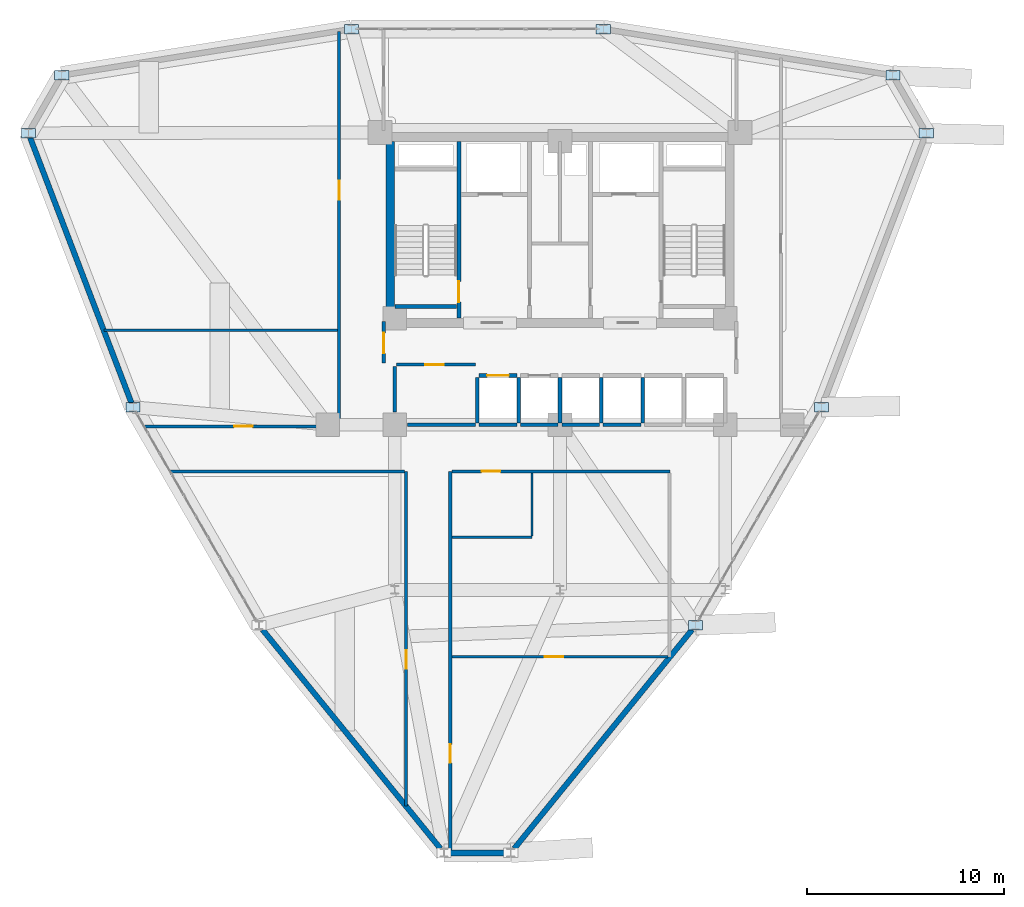
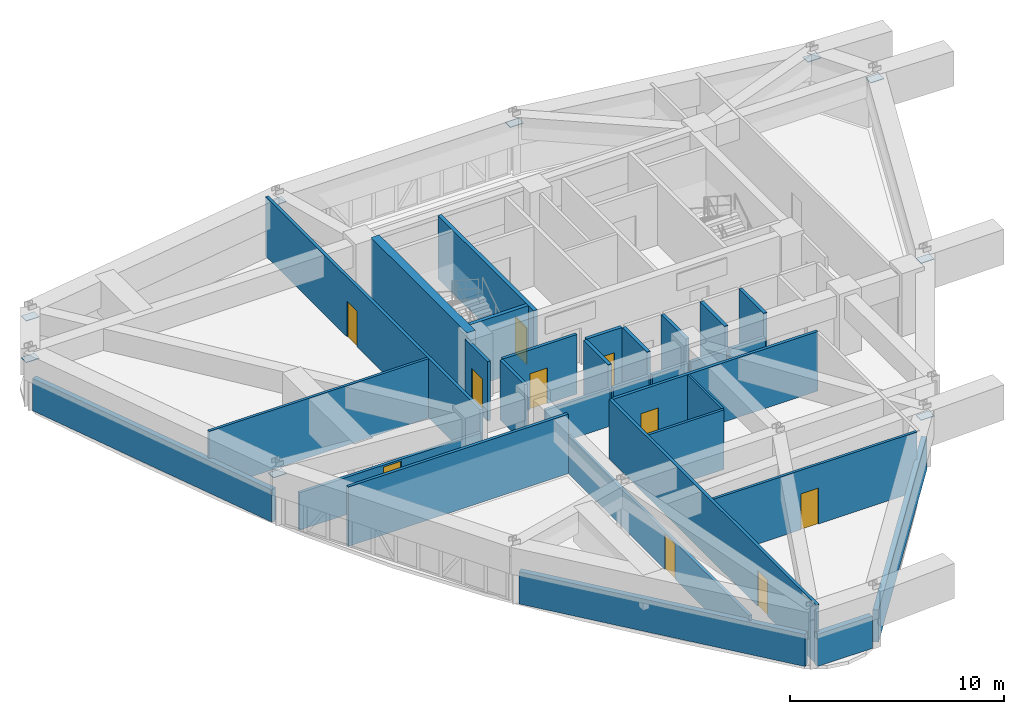
# One storey, part 11 of 15: 31 walls, 10 doors, 9 plates, 10 openings.
"""IFC4 building model written with IfcOpenShell, lengths in metres."""

from ifc_helpers import new_model, si_unit, derived_unit, direction, frame, frame_2d, origin, origin_2d, place, context, subcontext, project, spatial, rectangle, extrude, source, transform, mapped, material, layer, layer_set, type_object, element, fill, save


model = new_model("IFC4")

# Units and contexts
model_context = context("Model", 3, precision=1e-05, world=origin(), true_north=direction((0.0, 1.0)))
body_context = subcontext(model_context, "Body", "Model", "MODEL_VIEW")
ifc_project = project(units=[si_unit("LENGTHUNIT", "METRE"), si_unit("AREAUNIT", "SQUARE_METRE"), si_unit("VOLUMEUNIT", "CUBIC_METRE"), si_unit("PLANEANGLEUNIT", "RADIAN"), si_unit("MASSUNIT", "GRAM", prefix="KILO"), derived_unit("THERMALTRANSMITTANCEUNIT", [(si_unit("POWERUNIT", "WATT"), 1), (si_unit("LENGTHUNIT", "METRE"), -2), (si_unit("THERMODYNAMICTEMPERATUREUNIT", "KELVIN"), -1)])], contexts=[model_context])

# Site, building, storey
site_placement = place(None, origin())
site = spatial("IfcSite", under=ifc_project, at=site_placement, CompositionType="ELEMENT")
building_placement = place(site_placement, origin())
building = spatial("IfcBuilding", under=site, at=building_placement, Name="Korsvarv Bourse and Concert Hall", CompositionType="ELEMENT")
storey_placement = place(building_placement, frame((0.0, 0.0, 165.0)))
storey = spatial("IfcBuildingStorey", under=building, at=storey_placement, Name="L42", CompositionType="ELEMENT", Elevation=165.0)

# Plates
ifc_material_1 = material(Name="Steel S460", Category="steel")
ifc_layer_1 = layer(ifc_material_1, 0.033935546875)
ifc_layer_set_1 = layer_set([ifc_layer_1], Name="Steel S460")
plate_type = type_object("IfcPlateType", Name="PLT-KN5", PredefinedType="SHEET", material=ifc_layer_set_1)
shared_shape = source(origin(), body_context, "Body", "SweptSolid", [
    extrude(rectangle(XDim=0.719970703125, YDim=0.47998046875, at=origin_2d()), origin(), (0.0, 0.0, 1.0), 0.033935546875),
])
for number, where, z_axis, x_axis, name in (
    (1, (54.6142578125, 47.2138671875, 2.80322265625), (0.0, 0.0, 1.0), (1.0, 0.0, 0.0), "L42 Block-Shift Transfer Splice Plate KN5-1"),
    (2, (52.918701171875, 50.15087890625, 2.80322265625), (0.0, 0.0, 1.0), (1.0, 0.0, 0.0), "L42 Block-Shift Transfer Splice Plate KN5-2"),
    (3, (38.201416015625, 52.507568359375, 2.80322265625), (0.0, 0.0, 1.0), (1.0, 0.0, 0.0), "L42 Block-Shift Transfer Splice Plate KN5-3"),
    (4, (25.3984375, 52.507568359375, 2.80322265625), (0.0, 0.0, 1.0), (1.0, 0.0, 0.0), "L42 Block-Shift Transfer Splice Plate KN5-4"),
    (5, (10.681396484375, 50.15087890625, 2.80322265625), (0.0, 0.0, 1.0), (1.0, 0.0, 0.0), "L42 Block-Shift Transfer Splice Plate KN5-5"),
    (6, (8.985595703125, 47.2138671875, 2.80322265625), (0.0, 0.0, 1.0), (1.0, 0.0, 0.0), "L42 Block-Shift Transfer Splice Plate KN5-6"),
    (7, (14.30322265625, 33.2900390625, 2.80322265625), (0.0, 0.0, 1.0), (1.0, 0.0, 0.0), "L42 Block-Shift Transfer Splice Plate KN5-7"),
    (8, (42.895263671875, 22.202392578125, 2.80322265625), (0.0, 0.0, 1.0), (1.0, 0.0, 0.0), "L42 Block-Shift Transfer Splice Plate KN5-11"),
    (9, (49.296630859375, 33.2900390625, 2.80322265625), (0.0, 0.0, 1.0), (1.0, 0.0, 0.0), "L42 Block-Shift Transfer Splice Plate KN5-12"),
):
    element("IfcPlate", number, at=place(storey_placement, frame(where, z_axis=z_axis, x_axis=x_axis)), inside=storey, type_object=plate_type, Name=name, PredefinedType="SHEET", context=body_context, shape_type="MappedRepresentation", body=[
        mapped(shared_shape, transform((0.0, 0.0, 0.0), scale=1.0)),
    ])

# Wall, opening, door
ifc_material_2 = material(Name="Concrete C50/60", Category="concrete")
ifc_layer_2 = layer(ifc_material_2, 0.3798828125)
ifc_layer_set_2 = layer_set([ifc_layer_2], Name="Concrete C50/60")
wall_type_1 = type_object("IfcWallType", Name="WL-CORE-380", PredefinedType="SHEAR", material=ifc_layer_set_2)
wall_1_placement = place(storey_placement, frame((30.860107421875, 37.81005859375, 0.0), z_axis=(0.0, 0.0, 1.0), x_axis=(0.0, 1.0, 0.0)))
wall_1 = element("IfcWall", 10, at=wall_1_placement, inside=storey, type_object=wall_type_1, Name="L42 stair shaft structural wall W-L42-ST1-E", PredefinedType="SHEAR", context=body_context, shape_type="SweptSolid", body=[
    extrude(rectangle(XDim=8.97998046875, YDim=0.199951171875, at=frame_2d((4.489990234375, 0.0))), origin(), (0.0, 0.0, 1.0), 3.60009765625),
])
opening_1_placement = place(wall_1_placement, frame((0.820068359375, 0.0, 0.0)))
opening_1 = element("IfcOpeningElement", 11, at=opening_1_placement, cuts=wall_1, Name="Opening D-01", PredefinedType="OPENING", context=body_context, shape_type="SweptSolid", body=[
    extrude(rectangle(XDim=1.050048828125, YDim=2.10009765625, at=frame_2d((0.52490234375, 1.050048828125))), frame((0.0, 0.10986328125, 0.0), z_axis=(0.0, -1.0, 0.0), x_axis=(1.0, 0.0, 0.0)), (0.0, 0.0, 1.0), 0.219970703125),
])
ifc_material_3 = material(Name="Steel S355 fire door", Category="steel")
door_type_1 = type_object("IfcDoorType", Name="DR-FD60", OperationType="NOTDEFINED", PredefinedType="DOOR", material=ifc_material_3)
door_1_placement = place(opening_1_placement, origin())
door_1 = element("IfcDoor", 12, at=door_1_placement, inside=storey, type_object=door_type_1, Name="L42 interior door DR-L42-ST1", OperationType="SINGLE_SWING_LEFT", OverallHeight=2.10009765625, OverallWidth=1.050048828125, PredefinedType="DOOR", context=body_context, shape_type="SweptSolid", body=[
    extrude(rectangle(XDim=1.050048828125, YDim=2.10009765625, at=frame_2d((0.52490234375, 1.050048828125))), frame((0.0, 0.02490234375, 0.0), z_axis=(0.0, -1.0, 0.0), x_axis=(1.0, 0.0, 0.0)), (0.0, 0.0, 1.0), 0.050048828125),
])
fill(opening_1, door_1)

# Walls
wall_2_placement = place(storey_placement, frame((27.610107421875, 38.39990234375, 0.0), z_axis=(0.0, 0.0, 1.0), x_axis=(1.0, 0.0, 0.0)))
element("IfcWall", 13, at=wall_2_placement, inside=storey, type_object=wall_type_1, Name="L42 stair shaft structural wall W-L42-ST1-S", PredefinedType="SHEAR", context=body_context, shape_type="SweptSolid", body=[
    extrude(rectangle(XDim=3.139892578125, YDim=0.199951171875, at=frame_2d((1.56982421875, 0.0))), origin(), (0.0, 0.0, 1.0), 3.60009765625),
])
ifc_material_4 = material(Name="Concrete C55/67", Category="concrete")
ifc_layer_3 = layer(ifc_material_4, 0.449951171875)
ifc_layer_set_3 = layer_set([ifc_layer_3], Name="Concrete C55/67")
wall_type_2 = type_object("IfcWallType", Name="WL-CORE-450", PredefinedType="SHEAR", material=ifc_layer_set_3)
wall_3_placement = place(storey_placement, frame((27.375, 37.800048828125, 0.0), z_axis=(0.0, 0.0, 1.0), x_axis=(0.0, 1.0, 0.0)))
element("IfcWall", 14, at=wall_3_placement, inside=storey, type_object=wall_type_2, Name="L42 West Core Shear Wall", PredefinedType="SHEAR", context=body_context, shape_type="SweptSolid", body=[
    extrude(rectangle(XDim=9.0, YDim=0.449951171875, at=frame_2d((4.5, 0.0))), origin(), (0.0, 0.0, 1.0), 3.60009765625),
])
ifc_material_5 = material(Name="Precast concrete C45/55 with terracotta rainscreen", Category="concrete")
ifc_layer_4 = layer(ifc_material_5, 0.300048828125)
ifc_layer_set_4 = layer_set([ifc_layer_4], Name="Precast concrete C45/55 with terracotta rainscreen")
wall_type_3 = type_object("IfcWallType", Name="WL-EXT-TC1", PredefinedType="SOLIDWALL", material=ifc_layer_set_4)
wall_4_placement = place(storey_placement, frame((30.315185546875, 10.63525390625, 0.0), z_axis=(0.0, 0.0, 1.0), x_axis=(1.0, 0.0, 0.0)))
element("IfcWall", 15, at=wall_4_placement, inside=storey, type_object=wall_type_3, Name="L42 terracotta exterior wall EW-L42-B09", PredefinedType="SOLIDWALL", context=body_context, shape_type="SweptSolid", body=[
    extrude(rectangle(XDim=2.969482421875, YDim=0.300048828125, at=frame_2d((1.48486328125, 0.0))), origin(), (0.0, 0.0, 1.0), 1.840087890625),
])
ifc_material_6 = material(Name="Precast concrete C45/55 with fluted terracotta pier", Category="concrete")
ifc_layer_5 = layer(ifc_material_6, 0.280029296875)
ifc_layer_set_5 = layer_set([ifc_layer_5], Name="Precast concrete C45/55 with fluted terracotta pier")
wall_type_4 = type_object("IfcWallType", Name="WL-EXT-TC2", PredefinedType="SOLIDWALL", material=ifc_layer_set_5)
wall_5_placement = place(storey_placement, frame((9.07080078125, 46.991455078125, 0.0), z_axis=(0.0, 0.0, 1.0), x_axis=(0.356763590825, -0.934194701474, 0.0)))
element("IfcWall", 16, at=wall_5_placement, inside=storey, type_object=wall_type_4, Name="L42 terracotta exterior wall EW-L42-B06", PredefinedType="SOLIDWALL", context=body_context, shape_type="SweptSolid", body=[
    extrude(rectangle(XDim=14.42822265625, YDim=0.280029296875, at=frame_2d((7.214111328125, 0.0))), origin(), (0.0, 0.0, 1.0), 1.840087890625),
])
for number, where, z_axis, x_axis, name in (
    (17, (20.885498046875, 21.979736328125, 0.0), (0.0, 0.0, 1.0), (0.630659963665, -0.776059282678, 0.0), "L42 terracotta exterior wall EW-L42-B08"),
    (18, (33.676513671875, 10.85791015625, 0.0), (0.0, 0.0, 1.0), (0.630649703469, 0.776067620452, 0.0), "L42 terracotta exterior wall EW-L42-B10"),
):
    element("IfcWall", number, at=place(storey_placement, frame(where, z_axis=z_axis, x_axis=x_axis)), inside=storey, type_object=wall_type_4, Name=name, PredefinedType="SOLIDWALL", context=body_context, shape_type="SweptSolid", body=[
        extrude(rectangle(XDim=14.3310546875, YDim=0.280029296875, at=frame_2d((7.16552734375, 0.0))), origin(), (0.0, 0.0, 1.0), 1.840087890625),
    ])
ifc_material_7 = material(Name="Double-stud fire-rated acoustic partition", Category="gypsum")
ifc_layer_6 = layer(ifc_material_7, 0.159912109375)
ifc_layer_set_6 = layer_set([ifc_layer_6], Name="Double-stud fire-rated acoustic partition")
wall_type_5 = type_object("IfcWallType", Name="WL-INT-EI60", PredefinedType="PARTITIONING", material=ifc_layer_set_6)
wall_6_placement = place(storey_placement, frame((28.25, 32.39990234375, 0.0), z_axis=(0.0, 0.0, 1.0), x_axis=(1.0, 0.0, 0.0)))
element("IfcWall", 19, at=wall_6_placement, inside=storey, type_object=wall_type_5, Name="L42 interior partition wall W-L42-FRD-S", PredefinedType="PARTITIONING", context=body_context, shape_type="SweptSolid", body=[
    extrude(rectangle(XDim=3.449951171875, YDim=0.159912109375, at=frame_2d((1.72509765625, 0.0))), origin(), (0.0, 0.0, 1.0), 2.1298828125),
])
wall_7_placement = place(storey_placement, frame((27.60009765625, 33.050048828125, 0.0), z_axis=(0.0, 0.0, 1.0), x_axis=(0.0, 1.0, 0.0)))
element("IfcWall", 20, at=wall_7_placement, inside=storey, type_object=wall_type_5, Name="L42 interior partition wall W-L42-FRD-W", PredefinedType="PARTITIONING", context=body_context, shape_type="SweptSolid", body=[
    extrude(rectangle(XDim=2.31005859375, YDim=0.159912109375, at=frame_2d((1.155029296875, 0.0))), origin(), (0.0, 0.0, 1.0), 3.39990234375),
])

# Wall, opening, door
wall_8_placement = place(storey_placement, frame((27.68994140625, 35.449951171875, 0.0), z_axis=(0.0, 0.0, 1.0), x_axis=(1.0, 0.0, 0.0)))
wall_8 = element("IfcWall", 21, at=wall_8_placement, inside=storey, type_object=wall_type_5, Name="L42 interior partition wall W-L42-FRD-N", PredefinedType="PARTITIONING", context=body_context, shape_type="SweptSolid", body=[
    extrude(rectangle(XDim=4.010009765625, YDim=0.159912109375, at=frame_2d((2.0048828125, 0.0))), origin(), (0.0, 0.0, 1.0), 3.39990234375),
])
opening_2_placement = place(wall_8_placement, frame((1.449951171875, 0.0, 0.0)))
opening_2 = element("IfcOpeningElement", 22, at=opening_2_placement, cuts=wall_8, Name="Opening D-03", PredefinedType="OPENING", context=body_context, shape_type="SweptSolid", body=[
    extrude(rectangle(XDim=0.949951171875, YDim=2.050048828125, at=frame_2d((0.47509765625, 1.02490234375))), frame((0.0, 0.08984375, 0.0), z_axis=(0.0, -1.0, 0.0), x_axis=(1.0, 0.0, 0.0)), (0.0, 0.0, 1.0), 0.179931640625),
])
ifc_material_8 = material(Name="Nordic oak acoustic office door", Category="wood")
door_type_2 = type_object("IfcDoorType", Name="DR-INT-1", OperationType="NOTDEFINED", PredefinedType="DOOR", material=ifc_material_8)
door_2_placement = place(opening_2_placement, origin())
door_2 = element("IfcDoor", 23, at=door_2_placement, inside=storey, type_object=door_type_2, Name="L42 interior door DR-L42-FRDN1", OperationType="SINGLE_SWING_LEFT", OverallHeight=2.050048828125, OverallWidth=0.949951171875, PredefinedType="DOOR", context=body_context, shape_type="SweptSolid", body=[
    extrude(rectangle(XDim=0.949951171875, YDim=2.050048828125, at=frame_2d((0.47509765625, 1.02490234375))), frame((0.0, 0.02490234375, 0.0), z_axis=(0.0, -1.0, 0.0), x_axis=(1.0, 0.0, 0.0)), (0.0, 0.0, 1.0), 0.050048828125),
])
fill(opening_2, door_2)

wall_9_placement = place(storey_placement, frame((27.0400390625, 35.5400390625, 0.0), z_axis=(0.0, 0.0, 1.0), x_axis=(0.0, 1.0, 0.0)))
wall_9 = element("IfcWall", 24, at=wall_9_placement, inside=storey, type_object=wall_type_5, Name="L42 interior partition wall W-L42-LOB-WL", PredefinedType="PARTITIONING", context=body_context, shape_type="SweptSolid", body=[
    extrude(rectangle(XDim=2.10986328125, YDim=0.159912109375, at=frame_2d((1.054931640625, 0.0))), origin(), (0.0, 0.0, 1.0), 3.39990234375),
])
opening_3_placement = place(wall_9_placement, frame((0.47998046875, 0.0, 0.0)))
opening_3 = element("IfcOpeningElement", 25, at=opening_3_placement, cuts=wall_9, Name="Opening D-01", PredefinedType="OPENING", context=body_context, shape_type="SweptSolid", body=[
    extrude(rectangle(XDim=1.050048828125, YDim=2.10009765625, at=frame_2d((0.52490234375, 1.050048828125))), frame((0.0, 0.08984375, 0.0), z_axis=(0.0, -1.0, 0.0), x_axis=(1.0, 0.0, 0.0)), (0.0, 0.0, 1.0), 0.179931640625),
])
door_3_placement = place(opening_3_placement, frame((1.050048828125, 0.0, 0.0), z_axis=(0.0, 0.0, 1.0), x_axis=(-1.0, 0.0, 0.0)))
door_3 = element("IfcDoor", 26, at=door_3_placement, inside=storey, type_object=door_type_1, Name="L42 interior door DR-L42-LOBW", OperationType="SINGLE_SWING_RIGHT", OverallHeight=2.10009765625, OverallWidth=1.050048828125, PredefinedType="DOOR", context=body_context, shape_type="SweptSolid", body=[
    extrude(rectangle(XDim=1.050048828125, YDim=2.10009765625, at=frame_2d((0.52490234375, 1.050048828125))), frame((0.0, 0.02490234375, 0.0), z_axis=(0.0, -1.0, 0.0), x_axis=(1.0, 0.0, 0.0)), (0.0, 0.0, 1.0), 0.050048828125),
])
fill(opening_3, door_3)

wall_10_placement = place(storey_placement, frame((24.77490234375, 32.31005859375, 0.0), z_axis=(0.0, 0.0, 1.0), x_axis=(0.0, 1.0, 0.0)))
wall_10 = element("IfcWall", 27, at=wall_10_placement, inside=storey, type_object=wall_type_5, Name="L42 interior partition wall W-L42-TCOR-01", PredefinedType="PARTITIONING", context=body_context, shape_type="SweptSolid", body=[
    extrude(rectangle(XDim=20.07763671875, YDim=0.159912109375, at=frame_2d((10.038818359375, 0.0))), origin(), (0.0, 0.0, 1.0), 3.39990234375),
])
opening_4_placement = place(wall_10_placement, frame((11.525390625, 0.0, 0.0)))
opening_4 = element("IfcOpeningElement", 28, at=opening_4_placement, cuts=wall_10, Name="Opening D-02", PredefinedType="OPENING", context=body_context, shape_type="SweptSolid", body=[
    extrude(rectangle(XDim=0.949951171875, YDim=2.050048828125, at=frame_2d((0.47509765625, 1.02490234375))), frame((0.0, 0.08984375, 0.0), z_axis=(0.0, -1.0, 0.0), x_axis=(1.0, 0.0, 0.0)), (0.0, 0.0, 1.0), 0.179931640625),
])
ifc_material_9 = material(Name="Timber and steel acoustic fire door", Category="wood")
door_type_3 = type_object("IfcDoorType", Name="DR-FD30", OperationType="NOTDEFINED", PredefinedType="DOOR", material=ifc_material_9)
door_4_placement = place(opening_4_placement, origin())
door_4 = element("IfcDoor", 29, at=door_4_placement, inside=storey, type_object=door_type_3, Name="L42 interior door DR-L42-TCOR-S067", OperationType="SINGLE_SWING_RIGHT", OverallHeight=2.050048828125, OverallWidth=0.949951171875, PredefinedType="DOOR", context=body_context, shape_type="SweptSolid", body=[
    extrude(rectangle(XDim=0.949951171875, YDim=2.050048828125, at=frame_2d((0.47509765625, 1.02490234375))), frame((0.0, 0.02490234375, 0.0), z_axis=(0.0, -1.0, 0.0), x_axis=(1.0, 0.0, 0.0)), (0.0, 0.0, 1.0), 0.050048828125),
])
fill(opening_4, door_4)

wall_11_placement = place(storey_placement, frame((30.425048828125, 10.6552734375, 0.0), z_axis=(0.0, 0.0, 1.0), x_axis=(0.0, 1.0, 0.0)))
wall_11 = element("IfcWall", 30, at=wall_11_placement, inside=storey, type_object=wall_type_5, Name="L42 interior partition wall W-L42-TCOR-02", PredefinedType="PARTITIONING", context=body_context, shape_type="SweptSolid", body=[
    extrude(rectangle(XDim=19.374755859375, YDim=0.159912109375, at=frame_2d((9.6875, 0.0))), origin(), (0.0, 0.0, 1.0), 3.39990234375),
])
opening_5_placement = place(wall_11_placement, frame((4.552490234375, 0.0, 0.0)))
opening_5 = element("IfcOpeningElement", 31, at=opening_5_placement, cuts=wall_11, Name="Opening D-02", PredefinedType="OPENING", context=body_context, shape_type="SweptSolid", body=[
    extrude(rectangle(XDim=0.949951171875, YDim=2.050048828125, at=frame_2d((0.47509765625, 1.02490234375))), frame((0.0, 0.08984375, 0.0), z_axis=(0.0, -1.0, 0.0), x_axis=(1.0, 0.0, 0.0)), (0.0, 0.0, 1.0), 0.179931640625),
])
door_5_placement = place(opening_5_placement, origin())
door_5 = element("IfcDoor", 32, at=door_5_placement, inside=storey, type_object=door_type_3, Name="L42 interior door DR-L42-TCOR-S023", OperationType="SINGLE_SWING_LEFT", OverallHeight=2.050048828125, OverallWidth=0.949951171875, PredefinedType="DOOR", context=body_context, shape_type="SweptSolid", body=[
    extrude(rectangle(XDim=0.949951171875, YDim=2.050048828125, at=frame_2d((0.47509765625, 1.02490234375))), frame((0.0, 0.02490234375, 0.0), z_axis=(0.0, -1.0, 0.0), x_axis=(1.0, 0.0, 0.0)), (0.0, 0.0, 1.0), 0.050048828125),
])
fill(opening_5, door_5)

wall_12_placement = place(storey_placement, frame((28.175048828125, 13.029541015625, 0.0), z_axis=(0.0, 0.0, 1.0), x_axis=(0.0, 1.0, 0.0)))
wall_12 = element("IfcWall", 33, at=wall_12_placement, inside=storey, type_object=wall_type_5, Name="L42 interior partition wall W-L42-TCOR-04", PredefinedType="PARTITIONING", context=body_context, shape_type="SweptSolid", body=[
    extrude(rectangle(XDim=17.00048828125, YDim=0.159912109375, at=frame_2d((8.500244140625, 0.0))), origin(), (0.0, 0.0, 1.0), 2.1298828125),
])
opening_6_placement = place(wall_12_placement, frame((6.955078125, 0.0, 0.0)))
opening_6 = element("IfcOpeningElement", 34, at=opening_6_placement, cuts=wall_12, Name="Opening D-06", PredefinedType="OPENING", context=body_context, shape_type="SweptSolid", body=[
    extrude(rectangle(XDim=0.949951171875, YDim=2.02001953125, at=frame_2d((0.47509765625, 1.010009765625))), frame((0.0, 0.08984375, 0.0), z_axis=(0.0, -1.0, 0.0), x_axis=(1.0, 0.0, 0.0)), (0.0, 0.0, 1.0), 0.179931640625),
])
door_type_4 = type_object("IfcDoorType", Name="DR-FD30-950X2020", OperationType="NOTDEFINED", PredefinedType="DOOR", material=ifc_material_9)
door_6_placement = place(opening_6_placement, origin())
door_6 = element("IfcDoor", 35, at=door_6_placement, inside=storey, type_object=door_type_4, Name="L42 interior door DR-L42-TCOR-S035", OperationType="SINGLE_SWING_LEFT", OverallHeight=2.02001953125, OverallWidth=0.949951171875, PredefinedType="DOOR", context=body_context, shape_type="SweptSolid", body=[
    extrude(rectangle(XDim=0.949951171875, YDim=2.02001953125, at=frame_2d((0.47509765625, 1.010009765625))), frame((0.0, 0.02490234375, 0.0), z_axis=(0.0, -1.0, 0.0), x_axis=(1.0, 0.0, 0.0)), (0.0, 0.0, 1.0), 0.050048828125),
])
fill(opening_6, door_6)

# Wall
wall_13_placement = place(storey_placement, frame((16.20849609375, 30.02490234375, 0.0), z_axis=(0.0, 0.0, 1.0), x_axis=(1.0, 0.0, 0.0)))
element("IfcWall", 36, at=wall_13_placement, inside=storey, type_object=wall_type_5, Name="L42 interior partition wall W-L42-TCOR-05", PredefinedType="PARTITIONING", context=body_context, shape_type="SweptSolid", body=[
    extrude(rectangle(XDim=11.884521484375, YDim=0.159912109375, at=frame_2d((5.9423828125, 0.0))), origin(), (0.0, 0.0, 1.0), 3.39990234375),
])

# Wall, opening, door
wall_14_placement = place(storey_placement, frame((30.507080078125, 30.02490234375, 0.0), z_axis=(0.0, 0.0, 1.0), x_axis=(1.0, 0.0, 0.0)))
wall_14 = element("IfcWall", 37, at=wall_14_placement, inside=storey, type_object=wall_type_5, Name="L42 interior partition wall W-L42-TCOR-06", PredefinedType="PARTITIONING", context=body_context, shape_type="SweptSolid", body=[
    extrude(rectangle(XDim=11.072998046875, YDim=0.159912109375, at=frame_2d((5.53662109375, 0.0))), origin(), (0.0, 0.0, 1.0), 3.39990234375),
])
opening_7_placement = place(wall_14_placement, frame((1.51220703125, 0.0, 0.0)))
opening_7 = element("IfcOpeningElement", 38, at=opening_7_placement, cuts=wall_14, Name="Opening D-02", PredefinedType="OPENING", context=body_context, shape_type="SweptSolid", body=[
    extrude(rectangle(XDim=0.949951171875, YDim=2.050048828125, at=frame_2d((0.47509765625, 1.02490234375))), frame((0.0, 0.08984375, 0.0), z_axis=(0.0, -1.0, 0.0), x_axis=(1.0, 0.0, 0.0)), (0.0, 0.0, 1.0), 0.179931640625),
])
door_7_placement = place(opening_7_placement, origin())
door_7 = element("IfcDoor", 39, at=door_7_placement, inside=storey, type_object=door_type_3, Name="L42 interior door DR-L42-TCOR-RWC", OperationType="SINGLE_SWING_RIGHT", OverallHeight=2.050048828125, OverallWidth=0.949951171875, PredefinedType="DOOR", context=body_context, shape_type="SweptSolid", body=[
    extrude(rectangle(XDim=0.949951171875, YDim=2.050048828125, at=frame_2d((0.47509765625, 1.02490234375))), frame((0.0, 0.02490234375, 0.0), z_axis=(0.0, -1.0, 0.0), x_axis=(1.0, 0.0, 0.0)), (0.0, 0.0, 1.0), 0.050048828125),
])
fill(opening_7, door_7)

wall_15_placement = place(storey_placement, frame((14.88623046875, 32.31494140625, 0.0), z_axis=(0.0, 0.0, 1.0), x_axis=(1.0, 0.0, 0.0)))
wall_15 = element("IfcWall", 40, at=wall_15_placement, inside=storey, type_object=wall_type_5, Name="L42 interior partition wall W-L42-TCOR-07", PredefinedType="PARTITIONING", context=body_context, shape_type="SweptSolid", body=[
    extrude(rectangle(XDim=9.806884765625, YDim=0.159912109375, at=frame_2d((4.9033203125, 0.0))), origin(), (0.0, 0.0, 1.0), 2.1298828125),
])
opening_8_placement = place(wall_15_placement, frame((4.54736328125, 0.0, 0.0)))
opening_8 = element("IfcOpeningElement", 41, at=opening_8_placement, cuts=wall_15, Name="Opening D-06", PredefinedType="OPENING", context=body_context, shape_type="SweptSolid", body=[
    extrude(rectangle(XDim=0.949951171875, YDim=2.02001953125, at=frame_2d((0.47509765625, 1.010009765625))), frame((0.0, 0.08984375, 0.0), z_axis=(0.0, -1.0, 0.0), x_axis=(1.0, 0.0, 0.0)), (0.0, 0.0, 1.0), 0.179931640625),
])
door_8_placement = place(opening_8_placement, origin())
door_8 = element("IfcDoor", 42, at=door_8_placement, inside=storey, type_object=door_type_4, Name="L42 interior door DR-L42-TCOR-S056", OperationType="SINGLE_SWING_LEFT", OverallHeight=2.02001953125, OverallWidth=0.949951171875, PredefinedType="DOOR", context=body_context, shape_type="SweptSolid", body=[
    extrude(rectangle(XDim=0.949951171875, YDim=2.02001953125, at=frame_2d((0.47509765625, 1.010009765625))), frame((0.0, 0.02490234375, 0.0), z_axis=(0.0, -1.0, 0.0), x_axis=(1.0, 0.0, 0.0)), (0.0, 0.0, 1.0), 0.050048828125),
])
fill(opening_8, door_8)

ifc_material_10 = material(Name="Gypsum-clad autoclaved concrete shaft wall C30/37", Category="concrete")
ifc_layer_7 = layer(ifc_material_10, 0.179931640625)
ifc_layer_set_7 = layer_set([ifc_layer_7], Name="Gypsum-clad autoclaved concrete shaft wall C30/37")
wall_type_6 = type_object("IfcWallType", Name="WL-INT-EI90", PredefinedType="PARTITIONING", material=ifc_layer_set_7)
wall_16_placement = place(storey_placement, frame((31.889892578125, 34.89990234375, 0.0), z_axis=(0.0, 0.0, 1.0), x_axis=(1.0, 0.0, 0.0)))
wall_16 = element("IfcWall", 43, at=wall_16_placement, inside=storey, type_object=wall_type_6, Name="L42 interior partition wall W-L42-SHFN-PM1", PredefinedType="PARTITIONING", context=body_context, shape_type="SweptSolid", body=[
    extrude(rectangle(XDim=1.920166015625, YDim=0.179931640625, at=frame_2d((0.9599609375, 0.0))), origin(), (0.0, 0.0, 1.0), 3.39990234375),
])
opening_9_placement = place(wall_16_placement, frame((0.409912109375, 0.0, 0.0)))
opening_9 = element("IfcOpeningElement", 44, at=opening_9_placement, cuts=wall_16, Name="Opening LD-2", PredefinedType="OPENING", context=body_context, shape_type="SweptSolid", body=[
    extrude(rectangle(XDim=1.10009765625, YDim=2.10009765625, at=frame_2d((0.550048828125, 1.050048828125))), frame((0.0, 0.10009765625, 0.0), z_axis=(0.0, -1.0, 0.0), x_axis=(1.0, 0.0, 0.0)), (0.0, 0.0, 1.0), 0.199951171875),
])
ifc_material_11 = material(Name="Brushed stainless Steel S355 lift landing door", Category="steel")
door_type_5 = type_object("IfcDoorType", Name="DR-LIFT-P", OperationType="DOUBLE_DOOR_SLIDING", PredefinedType="DOOR", material=ifc_material_11)
door_9_placement = place(opening_9_placement, origin())
door_9 = element("IfcDoor", 45, at=door_9_placement, inside=storey, type_object=door_type_5, Name="L42 lift sliding landing door LD-L42-PM1", OperationType="DOUBLE_DOOR_SLIDING", OverallHeight=2.10009765625, OverallWidth=1.10009765625, PredefinedType="DOOR", context=body_context, shape_type="SweptSolid", body=[
    extrude(rectangle(XDim=1.10009765625, YDim=2.10009765625, at=frame_2d((0.550048828125, 1.050048828125))), frame((0.0, 0.02490234375, 0.0), z_axis=(0.0, -1.0, 0.0), x_axis=(1.0, 0.0, 0.0)), (0.0, 0.0, 1.0), 0.050048828125),
])
fill(opening_9, door_9)

# Walls
wall_17_placement = place(storey_placement, frame((31.889892578125, 32.39990234375, 0.0), z_axis=(0.0, 0.0, 1.0), x_axis=(1.0, 0.0, 0.0)))
element("IfcWall", 46, at=wall_17_placement, inside=storey, type_object=wall_type_6, Name="L42 interior partition wall W-L42-SHFS-PM1", PredefinedType="PARTITIONING", context=body_context, shape_type="SweptSolid", body=[
    extrude(rectangle(XDim=1.920166015625, YDim=0.179931640625, at=frame_2d((0.9599609375, 0.0))), origin(), (0.0, 0.0, 1.0), 2.1298828125),
])
wall_18_placement = place(storey_placement, frame((31.800048828125, 32.489990234375, 0.0), z_axis=(0.0, 0.0, 1.0), x_axis=(0.0, 1.0, 0.0)))
element("IfcWall", 47, at=wall_18_placement, inside=storey, type_object=wall_type_6, Name="L42 interior partition wall W-L42-SHFW-PM1", PredefinedType="PARTITIONING", context=body_context, shape_type="SweptSolid", body=[
    extrude(rectangle(XDim=2.320068359375, YDim=0.179931640625, at=frame_2d((1.16015625, 0.0))), origin(), (0.0, 0.0, 1.0), 3.39990234375),
])
wall_19_placement = place(storey_placement, frame((33.989990234375, 32.39990234375, 0.0), z_axis=(0.0, 0.0, 1.0), x_axis=(1.0, 0.0, 0.0)))
element("IfcWall", 48, at=wall_19_placement, inside=storey, type_object=wall_type_6, Name="L42 interior partition wall W-L42-SHFS-PM2", PredefinedType="PARTITIONING", context=body_context, shape_type="SweptSolid", body=[
    extrude(rectangle(XDim=1.919921875, YDim=0.179931640625, at=frame_2d((0.9599609375, 0.0))), origin(), (0.0, 0.0, 1.0), 2.1298828125),
])
wall_20_placement = place(storey_placement, frame((33.89990234375, 32.489990234375, 0.0), z_axis=(0.0, 0.0, 1.0), x_axis=(0.0, 1.0, 0.0)))
element("IfcWall", 49, at=wall_20_placement, inside=storey, type_object=wall_type_6, Name="L42 interior partition wall W-L42-SHFW-PM2", PredefinedType="PARTITIONING", context=body_context, shape_type="SweptSolid", body=[
    extrude(rectangle(XDim=2.320068359375, YDim=0.179931640625, at=frame_2d((1.16015625, 0.0))), origin(), (0.0, 0.0, 1.0), 3.39990234375),
])
wall_21_placement = place(storey_placement, frame((36.090087890625, 32.39990234375, 0.0), z_axis=(0.0, 0.0, 1.0), x_axis=(1.0, 0.0, 0.0)))
element("IfcWall", 50, at=wall_21_placement, inside=storey, type_object=wall_type_6, Name="L42 interior partition wall W-L42-SHFS-PH1", PredefinedType="PARTITIONING", context=body_context, shape_type="SweptSolid", body=[
    extrude(rectangle(XDim=1.919921875, YDim=0.179931640625, at=frame_2d((0.9599609375, 0.0))), origin(), (0.0, 0.0, 1.0), 2.1298828125),
])
wall_22_placement = place(storey_placement, frame((36.0, 32.489990234375, 0.0), z_axis=(0.0, 0.0, 1.0), x_axis=(0.0, 1.0, 0.0)))
element("IfcWall", 51, at=wall_22_placement, inside=storey, type_object=wall_type_6, Name="L42 interior partition wall W-L42-SHFW-PH1", PredefinedType="PARTITIONING", context=body_context, shape_type="SweptSolid", body=[
    extrude(rectangle(XDim=2.320068359375, YDim=0.179931640625, at=frame_2d((1.16015625, 0.0))), origin(), (0.0, 0.0, 1.0), 3.39990234375),
])
wall_23_placement = place(storey_placement, frame((38.18994140625, 32.39990234375, 0.0), z_axis=(0.0, 0.0, 1.0), x_axis=(1.0, 0.0, 0.0)))
element("IfcWall", 52, at=wall_23_placement, inside=storey, type_object=wall_type_6, Name="L42 interior partition wall W-L42-SHFS-PH2", PredefinedType="PARTITIONING", context=body_context, shape_type="SweptSolid", body=[
    extrude(rectangle(XDim=1.920166015625, YDim=0.179931640625, at=frame_2d((0.9599609375, 0.0))), origin(), (0.0, 0.0, 1.0), 2.1298828125),
])
for number, where, z_axis, x_axis, name in (
    (53, (38.10009765625, 32.489990234375, 0.0), (0.0, 0.0, 1.0), (0.0, 1.0, 0.0), "L42 interior partition wall W-L42-SHFW-PH2"),
    (54, (40.199951171875, 32.489990234375, 0.0), (0.0, 0.0, 1.0), (0.0, 1.0, 0.0), "L42 interior partition wall W-L42-SHFW-PO1"),
):
    element("IfcWall", number, at=place(storey_placement, frame(where, z_axis=z_axis, x_axis=x_axis)), inside=storey, type_object=wall_type_6, Name=name, PredefinedType="PARTITIONING", context=body_context, shape_type="SweptSolid", body=[
        extrude(rectangle(XDim=2.320068359375, YDim=0.179931640625, at=frame_2d((1.16015625, 0.0))), origin(), (0.0, 0.0, 1.0), 3.39990234375),
    ])
ifc_material_12 = material(Name="Demountable acoustic glass and aluminium dealing partition", Category="aluminium")
ifc_layer_8 = layer(ifc_material_12, 0.110107421875)
ifc_layer_set_8 = layer_set([ifc_layer_8], Name="Demountable acoustic glass and aluminium dealing partition")
wall_type_7 = type_object("IfcWallType", Name="WL-INT-MOV", PredefinedType="MOVABLE", material=ifc_layer_set_8)
wall_24_placement = place(storey_placement, frame((34.574951171875, 26.7470703125, 0.0), z_axis=(0.0, 0.0, 1.0), x_axis=(0.0, 1.0, 0.0)))
element("IfcWall", 55, at=wall_24_placement, inside=storey, type_object=wall_type_7, Name="L42 interior partition wall W-L42-TCOR-15", PredefinedType="MOVABLE", context=body_context, shape_type="SweptSolid", body=[
    extrude(rectangle(XDim=3.196044921875, YDim=0.110107421875, at=frame_2d((1.59814453125, 0.0))), origin(), (0.0, 0.0, 1.0), 3.39990234375),
])
ifc_material_13 = material(Name="Insulated steel-stud office acoustic partition", Category="gypsum")
ifc_layer_9 = layer(ifc_material_13, 0.139892578125)
ifc_layer_set_9 = layer_set([ifc_layer_9], Name="Insulated steel-stud office acoustic partition")
wall_type_8 = type_object("IfcWallType", Name="WL-INT-P1", PredefinedType="PARTITIONING", material=ifc_layer_set_9)
wall_25_placement = place(storey_placement, frame((12.828125, 37.205078125, 0.0), z_axis=(0.0, 0.0, 1.0), x_axis=(1.0, 0.0, 0.0)))
element("IfcWall", 56, at=wall_25_placement, inside=storey, type_object=wall_type_8, Name="L42 interior partition wall W-L42-TCOR-12", PredefinedType="PARTITIONING", context=body_context, shape_type="SweptSolid", body=[
    extrude(rectangle(XDim=11.864990234375, YDim=0.139892578125, at=frame_2d((5.9326171875, 0.0))), origin(), (0.0, 0.0, 1.0), 3.39990234375),
])

# Wall, opening, door
wall_26_placement = place(storey_placement, frame((30.507080078125, 20.60498046875, 0.0), z_axis=(0.0, 0.0, 1.0), x_axis=(1.0, 0.0, 0.0)))
wall_26 = element("IfcWall", 57, at=wall_26_placement, inside=storey, type_object=wall_type_8, Name="L42 interior partition wall W-L42-TCOR-13", PredefinedType="PARTITIONING", context=body_context, shape_type="SweptSolid", body=[
    extrude(rectangle(XDim=10.98583984375, YDim=0.139892578125, at=frame_2d((5.492919921875, 0.0))), origin(), (0.0, 0.0, 1.0), 3.39990234375),
])
opening_10_placement = place(wall_26_placement, frame((4.7138671875, 0.0, 0.0)))
opening_10 = element("IfcOpeningElement", 58, at=opening_10_placement, cuts=wall_26, Name="Opening D-03", PredefinedType="OPENING", context=body_context, shape_type="SweptSolid", body=[
    extrude(rectangle(XDim=0.949951171875, YDim=2.050048828125, at=frame_2d((0.47509765625, 1.02490234375))), frame((0.0, 0.080078125, 0.0), z_axis=(0.0, -1.0, 0.0), x_axis=(1.0, 0.0, 0.0)), (0.0, 0.0, 1.0), 0.159912109375),
])
door_10_placement = place(opening_10_placement, origin())
door_10 = element("IfcDoor", 59, at=door_10_placement, inside=storey, type_object=door_type_2, Name="L42 interior door DR-L42-TCOR-S014", OperationType="SINGLE_SWING_LEFT", OverallHeight=2.050048828125, OverallWidth=0.949951171875, PredefinedType="DOOR", context=body_context, shape_type="SweptSolid", body=[
    extrude(rectangle(XDim=0.949951171875, YDim=2.050048828125, at=frame_2d((0.47509765625, 1.02490234375))), frame((0.0, 0.02490234375, 0.0), z_axis=(0.0, -1.0, 0.0), x_axis=(1.0, 0.0, 0.0)), (0.0, 0.0, 1.0), 0.050048828125),
])
fill(opening_10, door_10)

# Wall
wall_27_placement = place(storey_placement, frame((30.507080078125, 26.675048828125, 0.0), z_axis=(0.0, 0.0, 1.0), x_axis=(1.0, 0.0, 0.0)))
element("IfcWall", 60, at=wall_27_placement, inside=storey, type_object=wall_type_8, Name="L42 interior partition wall W-L42-TCOR-14", PredefinedType="PARTITIONING", context=body_context, shape_type="SweptSolid", body=[
    extrude(rectangle(XDim=4.072998046875, YDim=0.139892578125, at=frame_2d((2.03662109375, 0.0))), origin(), (0.0, 0.0, 1.0), 3.39990234375),
])

save(model, "model.ifc")
